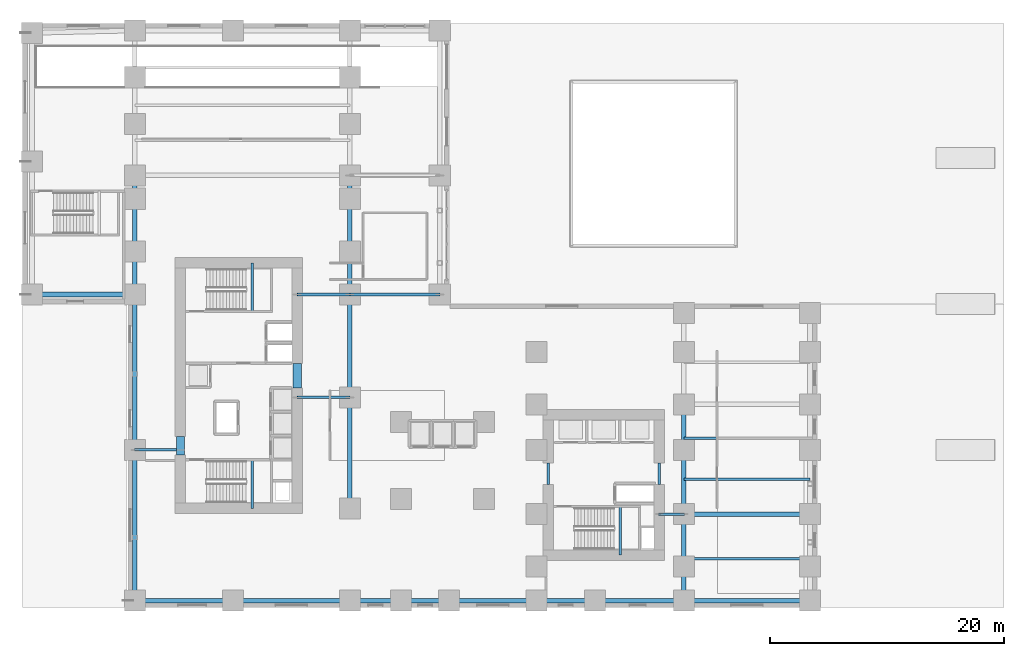
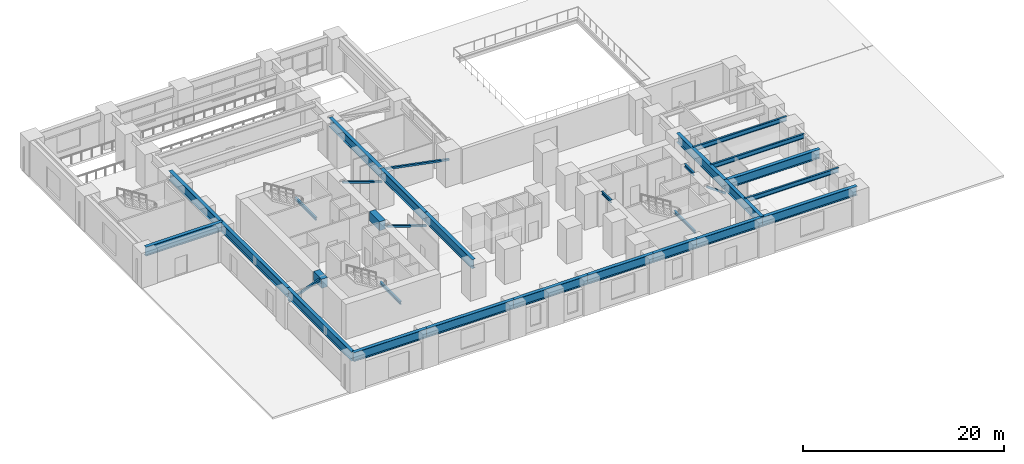
# One storey, part 5 of 23: 27 beams, 5 members.
"""IFC4 building model written with IfcOpenShell, lengths in metres."""

import ifcopenshell
import ifcopenshell.guid

model = None  # the IFC model being written
_history = None  # IfcOwnerHistory: only IFC2X3 demands one
_inside = {}  # id of a spatial element -> (the spatial element, [elements in it])
_under = {}  # id of a project, library or spatial element -> (it, [spatial elements below it])
_declared = {}  # id of a project -> (the project, [libraries it declares])
_typed = {}  # id of a type object -> (the type object, [elements of that type])
_made_of = {}  # id of a material, layer set ... -> (it, [elements and type objects made of it])


def new_model(schema):
    """Start an empty IFC model of exactly this schema.

    Asked for "IFC4X3", IfcOpenShell would pick the latest addendum, in which some entities
    have other attributes; the version numbers below select the first issue.
    IFC2X3 requires an IfcOwnerHistory on every rooted entity: one is made here for all.
    """
    global model, _history
    if schema == "IFC4X3":
        model = ifcopenshell.file(schema_version=(4, 3, 0, 0))
    else:
        model = ifcopenshell.file(schema=schema)
    _inside.clear()
    _under.clear()
    _declared.clear()
    _typed.clear()
    _made_of.clear()
    _history = None
    if model.schema == "IFC2X3":
        org = make("IfcOrganization", Name="unknown")
        user = make(
            "IfcPersonAndOrganization",
            ThePerson=make("IfcPerson", FamilyName="unknown"),
            TheOrganization=org,
        )
        app = make(
            "IfcApplication",
            ApplicationDeveloper=org,
            Version="unknown",
            ApplicationFullName="unknown",
            ApplicationIdentifier="unknown",
        )
        _history = make(
            "IfcOwnerHistory",
            OwningUser=user,
            OwningApplication=app,
            ChangeAction="ADDED",
            CreationDate=0,
        )
    return model


def make(cls, **values):
    """One entity of the class cls with the attributes given. An attribute that is None is left unset."""
    return model.create_entity(
        cls, **{name: value for name, value in values.items() if value is not None}
    )


def rooted(cls, **values):
    """An entity with a GlobalId (a new one), such as an element, a storey or a relation."""
    return make(cls, GlobalId=ifcopenshell.guid.new(), OwnerHistory=_history, **values)


def si_unit(unit_type, name, prefix=None):
    """IfcSIUnit, for example si_unit("LENGTHUNIT", "METRE", prefix="MILLI")."""
    return make("IfcSIUnit", UnitType=unit_type, Prefix=prefix, Name=name)


def assignment(units):
    """IfcUnitAssignment: the units of a project."""
    return None if units is None else make("IfcUnitAssignment", Units=units)


def point(xyz):
    """IfcCartesianPoint."""
    return None if xyz is None else make("IfcCartesianPoint", Coordinates=xyz)


def direction(xyz):
    """IfcDirection."""
    return None if xyz is None else make("IfcDirection", DirectionRatios=xyz)


def frame(location, z_axis=None, x_axis=None):
    """IfcAxis2Placement3D, a coordinate frame: its origin and axes. An axis left out is left unset."""
    return make(
        "IfcAxis2Placement3D",
        Location=point(location),
        Axis=direction(z_axis),
        RefDirection=direction(x_axis),
    )


def frame_2d(location, x_axis=None):
    """IfcAxis2Placement2D, a coordinate frame in the plane: its origin and x axis."""
    return make(
        "IfcAxis2Placement2D", Location=point(location), RefDirection=direction(x_axis)
    )


def origin():
    """The frame at (0, 0, 0) with its axes left unset."""
    return frame((0.0, 0.0, 0.0))


def origin_2d():
    """The frame at (0, 0) in the plane with its x axis left unset."""
    return frame_2d((0.0, 0.0))


def place(relative_to, where):
    """IfcLocalPlacement: puts the frame where relative to a parent placement (None: the world)."""
    return make(
        "IfcLocalPlacement", PlacementRelTo=relative_to, RelativePlacement=where
    )


def context(
    kind, dimensions, precision=None, world=None, true_north=None, identifier=None
):
    """IfcGeometricRepresentationContext, for example the 3D "Model" context."""
    return make(
        "IfcGeometricRepresentationContext",
        ContextIdentifier=identifier,
        ContextType=kind,
        CoordinateSpaceDimension=dimensions,
        Precision=precision,
        WorldCoordinateSystem=world,
        TrueNorth=true_north,
    )


def subcontext(parent, identifier, kind, view, scale=None):
    """IfcGeometricRepresentationSubContext, for example "Body" below "Model"."""
    return make(
        "IfcGeometricRepresentationSubContext",
        ContextIdentifier=identifier,
        ContextType=kind,
        ParentContext=parent,
        TargetScale=scale,
        TargetView=view,
    )


def project(units=None, contexts=None):
    """IfcProject with its units and contexts."""
    return rooted(
        "IfcProject",
        Name="project",
        RepresentationContexts=contexts,
        UnitsInContext=assignment(units),
    )


def spatial(cls, under=None, at=None, **own):
    """A site, building, storey or space (cls), placed at a placement, below another one or the project."""
    s = rooted(cls, ObjectPlacement=at, **own)
    if under is not None:
        _under.setdefault(under.id(), (under, []))[1].append(s)
    return s


def profile(cls, at=None, kind="AREA", **sizes):
    """A parametric profile (cls). Its sizes go by their IFC names, for example OverallWidth=200.0."""
    return make(cls, ProfileType=kind, Position=at, **sizes)


def rectangle(**sizes):
    """IfcRectangleProfileDef."""
    return profile("IfcRectangleProfileDef", **sizes)


def hollow_rectangle(**sizes):
    """IfcRectangleHollowProfileDef."""
    return profile("IfcRectangleHollowProfileDef", **sizes)


def i_section(**sizes):
    """IfcIShapeProfileDef."""
    return profile("IfcIShapeProfileDef", **sizes)


def extrude(swept, where, along, depth):
    """IfcExtrudedAreaSolid: the profile swept, set in the frame where, extruded along a direction by depth."""
    return make(
        "IfcExtrudedAreaSolid",
        SweptArea=swept,
        Position=where,
        ExtrudedDirection=direction(along),
        Depth=depth,
    )


def shape(context_of_items, identifier, shape_type, items):
    """IfcShapeRepresentation: the items that make up one representation, for example the "Body"."""
    return make(
        "IfcShapeRepresentation",
        ContextOfItems=context_of_items,
        RepresentationIdentifier=identifier,
        RepresentationType=shape_type,
        Items=items,
    )


def source(mapping_origin, context_of_items, identifier, shape_type, items):
    """IfcRepresentationMap: a shape defined once, which mapped items show again and again."""
    return make(
        "IfcRepresentationMap",
        MappingOrigin=mapping_origin,
        MappedRepresentation=shape(context_of_items, identifier, shape_type, items),
    )


def transform(
    local_origin,
    x_axis=None,
    y_axis=None,
    z_axis=None,
    scale=None,
    scale2=None,
    scale3=None,
    uniform=True,
):
    """IfcCartesianTransformationOperator3D, or its non-uniform kind. x_axis, y_axis, z_axis: its Axis1, 2, 3."""
    if uniform:
        return make(
            "IfcCartesianTransformationOperator3D",
            Axis1=direction(x_axis),
            Axis2=direction(y_axis),
            LocalOrigin=point(local_origin),
            Scale=scale,
            Axis3=direction(z_axis),
        )
    return make(
        "IfcCartesianTransformationOperator3DnonUniform",
        Axis1=direction(x_axis),
        Axis2=direction(y_axis),
        LocalOrigin=point(local_origin),
        Scale=scale,
        Axis3=direction(z_axis),
        Scale2=scale2,
        Scale3=scale3,
    )


def mapped(mapping_source, mapping_target):
    """IfcMappedItem: shows the shape of a source again, moved by a transform."""
    return make(
        "IfcMappedItem", MappingSource=mapping_source, MappingTarget=mapping_target
    )


def material(Name=None, Category=None):
    """IfcMaterial."""
    return make("IfcMaterial", Name=Name, Category=Category)


def material_profile(
    of_material, cross_section, Name=None, Category=None, Priority=None
):
    """IfcMaterialProfile: a cross section and its material."""
    return make(
        "IfcMaterialProfile",
        Name=Name,
        Material=of_material,
        Profile=cross_section,
        Priority=Priority,
        Category=Category,
    )


def profile_set(profiles, Name=None, composite=None):
    """IfcMaterialProfileSet."""
    return make(
        "IfcMaterialProfileSet",
        Name=Name,
        MaterialProfiles=profiles,
        CompositeProfile=composite,
    )


def made_of(thing, what):
    """Note that an element or type object is made of a material, layer set ...; save() writes the relation."""
    if what is not None:
        _made_of.setdefault(what.id(), (what, []))[1].append(thing)
    return thing


def type_object(cls, material=None, **own):
    """A type object (cls), such as IfcWallType, which elements share."""
    return made_of(rooted(cls, **own), material)


def element(
    cls,
    number,
    at=None,
    inside=None,
    cuts=None,
    type_object=None,
    material=None,
    context=None,
    identifier="Body",
    shape_type=None,
    held_by="IfcProductDefinitionShape",
    body=None,
    shapes=None,
    **own,
):
    """One element of the class cls, such as IfcWall. Its Tag is "e" and its number.

    at: its placement. inside: the storey or other place that contains it. cuts: it is an
    opening in that element (IfcRelVoidsElement). A single representation is given by context,
    identifier, shape_type and body (its items); several are given by shapes. held_by: the class
    of the entity that holds the representations. save() writes the other relations.
    """
    e = rooted(cls, Tag="e%d" % number, ObjectPlacement=at, **own)
    if body is not None:
        shapes = [shape(context, identifier, shape_type, body)]
    if shapes is not None:
        e.Representation = make(held_by, Representations=shapes)
    if inside is not None:
        _inside.setdefault(inside.id(), (inside, []))[1].append(e)
    if cuts is not None:
        rooted(
            "IfcRelVoidsElement", RelatingBuildingElement=cuts, RelatedOpeningElement=e
        )
    if type_object is not None:
        _typed.setdefault(type_object.id(), (type_object, []))[1].append(e)
    return made_of(e, material)


def aggregate(whole, parts):
    """IfcRelAggregates: a whole, such as a stair, and the parts it consists of."""
    return rooted("IfcRelAggregates", RelatingObject=whole, RelatedObjects=parts)


def save(model, path):
    """Write the relations noted so far, then the file.

    IfcRelAggregates (storeys below a building ...), IfcRelContainedInSpatialStructure (elements
    in a storey), IfcRelDefinesByType, IfcRelAssociatesMaterial and IfcRelDeclares: one each for
    every whole, place, type object, material and project.
    """
    for whole, parts in _under.values():
        aggregate(whole, parts)
    for where, things in _inside.values():
        rooted(
            "IfcRelContainedInSpatialStructure",
            RelatedElements=things,
            RelatingStructure=where,
        )
    for kind, things in _typed.values():
        rooted("IfcRelDefinesByType", RelatedObjects=things, RelatingType=kind)
    for what, things in _made_of.values():
        rooted("IfcRelAssociatesMaterial", RelatedObjects=things, RelatingMaterial=what)
    for by, libraries in _declared.values():
        rooted("IfcRelDeclares", RelatingContext=by, RelatedDefinitions=libraries)
    model.write(path)


model = new_model("IFC4")

# Units and contexts
model_context = context("Model", 3, precision=1e-05, world=origin(), true_north=direction((0.0, 1.0)))
body_context = subcontext(model_context, "Body", "Model", "MODEL_VIEW")
ifc_project = project(units=[si_unit("LENGTHUNIT", "METRE"), si_unit("AREAUNIT", "SQUARE_METRE"), si_unit("VOLUMEUNIT", "CUBIC_METRE"), si_unit("PLANEANGLEUNIT", "RADIAN"), si_unit("MASSUNIT", "GRAM", prefix="KILO")], contexts=[model_context])

# Site, building, storey
site_placement = place(None, origin())
site = spatial("IfcSite", under=ifc_project, at=site_placement, CompositionType="ELEMENT")
building_placement = place(site_placement, origin())
building = spatial("IfcBuilding", under=site, at=building_placement, Name="Kharzan Plaza Tower", CompositionType="ELEMENT")
storey_placement = place(building_placement, origin())
storey = spatial("IfcBuildingStorey", under=building, at=storey_placement, Name="L00", CompositionType="ELEMENT", Elevation=0.0)

# Beams
ifc_material_1 = material(Name="Concrete C60/75", Category="concrete")
ifc_material_profile_1 = material_profile(ifc_material_1, rectangle(XDim=0.699951171875, YDim=1.10009765625, at=origin_2d()), Name="RC-CB1100x700")
ifc_profile_set_1 = profile_set([ifc_material_profile_1], Name="Concrete C60/75")
beam_type_1 = type_object("IfcBeamType", Name="BM-RCCB1100", PredefinedType="LINTEL", material=ifc_profile_set_1)
shared_shape_1 = source(origin(), body_context, "Body", "SweptSolid", [
    extrude(rectangle(XDim=0.699951171875, YDim=1.10009765625, at=origin_2d()), origin(), (0.0, 0.0, 1.0), 2.059814453125),
])
beam_1_placement = place(storey_placement, frame((14.5, 18.820068359375, 3.699951171875), z_axis=(0.0, 1.0, 0.0), x_axis=(-1.0, 0.0, 0.0)))
element("IfcBeam", 1, at=beam_1_placement, inside=storey, type_object=beam_type_1, Name="L00 CORE-A RC coupling beam CB1", PredefinedType="LINTEL", context=body_context, shape_type="MappedRepresentation", body=[
    mapped(shared_shape_1, transform((0.0, 0.0, 0.0), x_axis=(1.0, 0.0, 0.0), y_axis=(0.0, 1.0, 0.0), z_axis=(0.0, 0.0, 1.0))),
])
ifc_material_2 = material(Name="Steel S355", Category="steel")
ifc_material_profile_2 = material_profile(ifc_material_2, i_section(OverallWidth=0.205078125, OverallDepth=0.35400390625, WebThickness=0.009521484375, FlangeThickness=0.016845703125, at=origin_2d()), Name="W360x79")
ifc_profile_set_2 = profile_set([ifc_material_profile_2], Name="Steel S355")
beam_type_2 = type_object("IfcBeamType", Name="BM-LNT360", PredefinedType="LINTEL", material=ifc_profile_set_2)
shared_shape_2 = source(origin(), body_context, "Body", "SweptSolid", [
    extrude(i_section(OverallWidth=0.205078125, OverallDepth=0.35400390625, WebThickness=0.009521484375, FlangeThickness=0.016845703125, at=origin_2d()), origin(), (0.0, 0.0, 1.0), 1.849853515625),
])
for number, where, z_axis, x_axis, name in (
    (2, (45.5, 10.550048828125, 4.072998046875), (0.0, 1.0, 0.0), (-1.0, 0.0, 0.0), "L00 CORE-B coupling lintel LN1-WE"),
    (3, (36.0, 10.550048828125, 4.072998046875), (0.0, 1.0, 0.0), (-1.0, 0.0, 0.0), "L00 CORE-B coupling lintel LN1-WW"),
):
    element("IfcBeam", number, at=place(storey_placement, frame(where, z_axis=z_axis, x_axis=x_axis)), inside=storey, type_object=beam_type_2, Name=name, PredefinedType="LINTEL", context=body_context, shape_type="MappedRepresentation", body=[
        mapped(shared_shape_2, transform((0.0, 0.0, 0.0), x_axis=(1.0, 0.0, 0.0), y_axis=(0.0, 1.0, 0.0), z_axis=(0.0, 0.0, 1.0))),
    ])
shared_shape_3 = source(origin(), body_context, "Body", "SweptSolid", [
    extrude(i_section(OverallWidth=0.205078125, OverallDepth=0.35400390625, WebThickness=0.009521484375, FlangeThickness=0.016845703125, at=origin_2d()), origin(), (0.0, 0.0, 1.0), 4.155029296875),
])
for number, where, z_axis, x_axis, name in (
    (4, (10.64990234375, 8.5, 1.873046875), (0.0, 1.0, 0.0), (-1.0, 0.0, 0.0), "L00 Stair ST-1 Half-Landing Beam"),
    (5, (10.64990234375, 25.344970703125, 1.873046875), (0.0, 1.0, 0.0), (-1.0, 0.0, 0.0), "L00 Stair ST-2 Half-Landing Beam"),
    (6, (42.14990234375, 4.5, 1.873046875), (0.0, 1.0, 0.0), (-1.0, 0.0, 0.0), "L00 Stair ST-3 Half-Landing Beam"),
):
    element("IfcBeam", number, at=place(storey_placement, frame(where, z_axis=z_axis, x_axis=x_axis)), inside=storey, type_object=beam_type_2, Name=name, PredefinedType="LINTEL", context=body_context, shape_type="MappedRepresentation", body=[
        mapped(shared_shape_3, transform((0.0, 0.0, 0.0), x_axis=(1.0, 0.0, 0.0), y_axis=(0.0, 1.0, 0.0), z_axis=(0.0, 0.0, 1.0))),
    ])
ifc_material_profile_3 = material_profile(ifc_material_2, i_section(OverallWidth=0.214111328125, OverallDepth=0.549072265625, WebThickness=0.0146484375, FlangeThickness=0.023681640625, at=origin_2d()), Name="W530x138")
ifc_profile_set_3 = profile_set([ifc_material_profile_3], Name="Steel S355")
beam_type_3 = type_object("IfcBeamType", Name="BM-JST530A", PredefinedType="JOIST", material=ifc_profile_set_3)
shared_shape_4 = source(origin(), body_context, "Body", "SweptSolid", [
    extrude(i_section(OverallWidth=0.214111328125, OverallDepth=0.549072265625, WebThickness=0.0146484375, FlangeThickness=0.023681640625, at=origin_2d()), origin(), (0.0, 0.0, 1.0), 10.7998046875),
])
for number, where, z_axis, x_axis, name in (
    (7, (47.60009765625, 4.199951171875, 3.9755859375), (1.0, 0.0, 0.0), (0.0, 1.0, 0.0), "L00 East Podium Joist PJ-B1"),
    (8, (47.60009765625, 11.0, 3.9755859375), (1.0, 0.0, 0.0), (0.0, 1.0, 0.0), "L00 East Podium Joist PJ-B2"),
    (9, (47.60009765625, 14.5, 3.9755859375), (1.0, 0.0, 0.0), (0.0, 1.0, 0.0), "L00 East Podium Joist PJ-B3"),
):
    element("IfcBeam", number, at=place(storey_placement, frame(where, z_axis=z_axis, x_axis=x_axis)), inside=storey, type_object=beam_type_3, Name=name, PredefinedType="JOIST", context=body_context, shape_type="MappedRepresentation", body=[
        mapped(shared_shape_4, transform((0.0, 0.0, 0.0), x_axis=(1.0, 0.0, 0.0), y_axis=(0.0, 1.0, 0.0), z_axis=(0.0, 0.0, 1.0))),
    ])
shared_shape_5 = source(origin(), body_context, "Body", "SweptSolid", [
    extrude(rectangle(XDim=0.699951171875, YDim=1.10009765625, at=origin_2d()), origin(), (0.0, 0.0, 1.0), 1.599853515625),
])
beam_2_placement = place(storey_placement, frame((4.5, 13.050048828125, 3.699951171875), z_axis=(0.0, 1.0, 0.0), x_axis=(-1.0, 0.0, 0.0)))
element("IfcBeam", 10, at=beam_2_placement, inside=storey, type_object=beam_type_1, Name="L00 CORE-A west RC coupling beam CB1", PredefinedType="LINTEL", context=body_context, shape_type="MappedRepresentation", body=[
    mapped(shared_shape_5, transform((0.0, 0.0, 0.0), x_axis=(1.0, 0.0, 0.0), y_axis=(0.0, 1.0, 0.0), z_axis=(0.0, 0.0, 1.0))),
])
ifc_material_profile_4 = material_profile(ifc_material_2, i_section(OverallWidth=0.39990234375, OverallDepth=1.10009765625, WebThickness=0.02001953125, FlangeThickness=0.035888671875, at=origin_2d()), Name="W1100x390")
ifc_profile_set_4 = profile_set([ifc_material_profile_4], Name="Steel S355")
beam_type_4 = type_object("IfcBeamType", Name="BM-PG1100B", PredefinedType="BEAM", material=ifc_profile_set_4)
shared_shape_6 = source(origin(), body_context, "Body", "SweptSolid", [
    extrude(i_section(OverallWidth=0.39990234375, OverallDepth=1.10009765625, WebThickness=0.02001953125, FlangeThickness=0.035888671875, at=origin_2d()), origin(), (0.0, 0.0, 1.0), 10.0),
])
beam_3_placement = place(storey_placement, frame((9.0, 0.60009765625, 3.699951171875), z_axis=(1.0, 0.0, 0.0), x_axis=(0.0, 1.0, 0.0)))
element("IfcBeam", 11, at=beam_3_placement, inside=storey, type_object=beam_type_4, Name="L00 Podium Primary Girder PG-3", PredefinedType="BEAM", context=body_context, shape_type="MappedRepresentation", body=[
    mapped(shared_shape_6, transform((0.0, 0.0, 0.0), x_axis=(1.0, 0.0, 0.0), y_axis=(0.0, 1.0, 0.0), z_axis=(0.0, 0.0, 1.0))),
])
shared_shape_7 = source(origin(), body_context, "Body", "SweptSolid", [
    extrude(i_section(OverallWidth=0.39990234375, OverallDepth=1.10009765625, WebThickness=0.02001953125, FlangeThickness=0.035888671875, at=origin_2d()), origin(), (0.0, 0.0, 1.0), 12.89990234375),
])
beam_4_placement = place(storey_placement, frame((0.60009765625, 0.60009765625, 3.699951171875), z_axis=(0.0, 1.0, 0.0), x_axis=(-1.0, 0.0, 0.0)))
element("IfcBeam", 12, at=beam_4_placement, inside=storey, type_object=beam_type_4, Name="L00 Podium Primary Girder PG-14", PredefinedType="BEAM", context=body_context, shape_type="MappedRepresentation", body=[
    mapped(shared_shape_7, transform((0.0, 0.0, 0.0), x_axis=(1.0, 0.0, 0.0), y_axis=(0.0, 1.0, 0.0), z_axis=(0.0, 0.0, 1.0))),
])
shared_shape_8 = source(origin(), body_context, "Body", "SweptSolid", [
    extrude(i_section(OverallWidth=0.39990234375, OverallDepth=1.10009765625, WebThickness=0.02001953125, FlangeThickness=0.035888671875, at=origin_2d()), origin(), (0.0, 0.0, 1.0), 13.300048828125),
])
beam_5_placement = place(storey_placement, frame((0.60009765625, 13.5, 3.699951171875), z_axis=(0.0, 1.0, 0.0), x_axis=(-1.0, 0.0, 0.0)))
element("IfcBeam", 13, at=beam_5_placement, inside=storey, type_object=beam_type_4, Name="L00 Podium Primary Girder PG-15", PredefinedType="BEAM", context=body_context, shape_type="MappedRepresentation", body=[
    mapped(shared_shape_8, transform((0.0, 0.0, 0.0), x_axis=(1.0, 0.0, 0.0), y_axis=(0.0, 1.0, 0.0), z_axis=(0.0, 0.0, 1.0))),
])
shared_shape_9 = source(origin(), body_context, "Body", "SweptSolid", [
    extrude(i_section(OverallWidth=0.39990234375, OverallDepth=1.10009765625, WebThickness=0.02001953125, FlangeThickness=0.035888671875, at=origin_2d()), origin(), (0.0, 0.0, 1.0), 10.199951171875),
])
for number, where, z_axis, x_axis, name in (
    (14, (0.60009765625, 26.800048828125, 3.699951171875), (0.0, 1.0, 0.0), (-1.0, 0.0, 0.0), "L00 Podium Primary Girder PG-16"),
    (15, (19.0, 26.800048828125, 3.699951171875), (0.0, 1.0, 0.0), (-1.0, 0.0, 0.0), "L00 Podium Primary Girder PG-20"),
):
    element("IfcBeam", number, at=place(storey_placement, frame(where, z_axis=z_axis, x_axis=x_axis)), inside=storey, type_object=beam_type_4, Name=name, PredefinedType="BEAM", context=body_context, shape_type="MappedRepresentation", body=[
        mapped(shared_shape_9, transform((0.0, 0.0, 0.0), x_axis=(1.0, 0.0, 0.0), y_axis=(0.0, 1.0, 0.0), z_axis=(0.0, 0.0, 1.0))),
    ])
shared_shape_10 = source(origin(), body_context, "Body", "SweptSolid", [
    extrude(i_section(OverallWidth=0.39990234375, OverallDepth=1.10009765625, WebThickness=0.02001953125, FlangeThickness=0.035888671875, at=origin_2d()), origin(), (0.0, 0.0, 1.0), 9.5),
])
beam_6_placement = place(storey_placement, frame((19.0, 8.5, 3.699951171875), z_axis=(0.0, 1.0, 0.0), x_axis=(-1.0, 0.0, 0.0)))
element("IfcBeam", 16, at=beam_6_placement, inside=storey, type_object=beam_type_4, Name="L00 Podium Primary Girder PG-18", PredefinedType="BEAM", context=body_context, shape_type="MappedRepresentation", body=[
    mapped(shared_shape_10, transform((0.0, 0.0, 0.0), x_axis=(1.0, 0.0, 0.0), y_axis=(0.0, 1.0, 0.0), z_axis=(0.0, 0.0, 1.0))),
])
shared_shape_11 = source(origin(), body_context, "Body", "SweptSolid", [
    extrude(i_section(OverallWidth=0.39990234375, OverallDepth=1.10009765625, WebThickness=0.02001953125, FlangeThickness=0.035888671875, at=origin_2d()), origin(), (0.0, 0.0, 1.0), 8.800048828125),
])
for number, where, z_axis, x_axis, name in (
    (17, (19.0, 18.0, 3.699951171875), (0.0, 1.0, 0.0), (-1.0, 0.0, 0.0), "L00 Podium Primary Girder PG-19"),
    (18, (-8.199951171875, 26.800048828125, 3.699951171875), (1.0, 0.0, 0.0), (0.0, 1.0, 0.0), "L00 Podium Primary Girder PG-8S"),
):
    element("IfcBeam", number, at=place(storey_placement, frame(where, z_axis=z_axis, x_axis=x_axis)), inside=storey, type_object=beam_type_4, Name=name, PredefinedType="BEAM", context=body_context, shape_type="MappedRepresentation", body=[
        mapped(shared_shape_11, transform((0.0, 0.0, 0.0), x_axis=(1.0, 0.0, 0.0), y_axis=(0.0, 1.0, 0.0), z_axis=(0.0, 0.0, 1.0))),
    ])
shared_shape_12 = source(origin(), body_context, "Body", "SweptSolid", [
    extrude(i_section(OverallWidth=0.39990234375, OverallDepth=1.10009765625, WebThickness=0.02001953125, FlangeThickness=0.035888671875, at=origin_2d()), origin(), (0.0, 0.0, 1.0), 8.39990234375),
])
beam_7_placement = place(storey_placement, frame((0.60009765625, 0.60009765625, 3.699951171875), z_axis=(1.0, 0.0, 0.0), x_axis=(0.0, 1.0, 0.0)))
element("IfcBeam", 19, at=beam_7_placement, inside=storey, type_object=beam_type_4, Name="L00 Podium Primary Girder PG-2", PredefinedType="BEAM", context=body_context, shape_type="MappedRepresentation", body=[
    mapped(shared_shape_12, transform((0.0, 0.0, 0.0), x_axis=(1.0, 0.0, 0.0), y_axis=(0.0, 1.0, 0.0), z_axis=(0.0, 0.0, 1.0))),
])
shared_shape_13 = source(origin(), body_context, "Body", "SweptSolid", [
    extrude(i_section(OverallWidth=0.39990234375, OverallDepth=1.10009765625, WebThickness=0.02001953125, FlangeThickness=0.035888671875, at=origin_2d()), origin(), (0.0, 0.0, 1.0), 7.39990234375),
])
beam_8_placement = place(storey_placement, frame((47.60009765625, 0.60009765625, 3.699951171875), z_axis=(0.0, 1.0, 0.0), x_axis=(-1.0, 0.0, 0.0)))
element("IfcBeam", 20, at=beam_8_placement, inside=storey, type_object=beam_type_4, Name="L00 Podium Primary Girder PG-22", PredefinedType="BEAM", context=body_context, shape_type="MappedRepresentation", body=[
    mapped(shared_shape_13, transform((0.0, 0.0, 0.0), x_axis=(1.0, 0.0, 0.0), y_axis=(0.0, 1.0, 0.0), z_axis=(0.0, 0.0, 1.0))),
])
shared_shape_14 = source(origin(), body_context, "Body", "SweptSolid", [
    extrude(i_section(OverallWidth=0.39990234375, OverallDepth=1.10009765625, WebThickness=0.02001953125, FlangeThickness=0.035888671875, at=origin_2d()), origin(), (0.0, 0.0, 1.0), 9.39990234375),
])
beam_9_placement = place(storey_placement, frame((47.60009765625, 8.0, 3.699951171875), z_axis=(0.0, 1.0, 0.0), x_axis=(-1.0, 0.0, 0.0)))
element("IfcBeam", 21, at=beam_9_placement, inside=storey, type_object=beam_type_4, Name="L00 Podium Primary Girder PG-23", PredefinedType="BEAM", context=body_context, shape_type="MappedRepresentation", body=[
    mapped(shared_shape_14, transform((0.0, 0.0, 0.0), x_axis=(1.0, 0.0, 0.0), y_axis=(0.0, 1.0, 0.0), z_axis=(0.0, 0.0, 1.0))),
])
shared_shape_15 = source(origin(), body_context, "Body", "SweptSolid", [
    extrude(i_section(OverallWidth=0.39990234375, OverallDepth=1.10009765625, WebThickness=0.02001953125, FlangeThickness=0.035888671875, at=origin_2d()), origin(), (0.0, 0.0, 1.0), 10.7998046875),
])
for number, where, z_axis, x_axis, name in (
    (22, (47.60009765625, 8.0, 3.699951171875), (1.0, 0.0, 0.0), (0.0, 1.0, 0.0), "L00 Podium Primary Girder PG-28"),
    (23, (47.60009765625, 0.60009765625, 3.699951171875), (1.0, 0.0, 0.0), (0.0, 1.0, 0.0), "L00 Podium Primary Girder PG-7"),
):
    element("IfcBeam", number, at=place(storey_placement, frame(where, z_axis=z_axis, x_axis=x_axis)), inside=storey, type_object=beam_type_4, Name=name, PredefinedType="BEAM", context=body_context, shape_type="MappedRepresentation", body=[
        mapped(shared_shape_15, transform((0.0, 0.0, 0.0), x_axis=(1.0, 0.0, 0.0), y_axis=(0.0, 1.0, 0.0), z_axis=(0.0, 0.0, 1.0))),
    ])
shared_shape_16 = source(origin(), body_context, "Body", "SweptSolid", [
    extrude(i_section(OverallWidth=0.39990234375, OverallDepth=1.10009765625, WebThickness=0.02001953125, FlangeThickness=0.035888671875, at=origin_2d()), origin(), (0.0, 0.0, 1.0), 8.5),
])
beam_10_placement = place(storey_placement, frame((19.0, 0.60009765625, 3.699951171875), z_axis=(1.0, 0.0, 0.0), x_axis=(0.0, 1.0, 0.0)))
element("IfcBeam", 24, at=beam_10_placement, inside=storey, type_object=beam_type_4, Name="L00 Podium Primary Girder PG-4", PredefinedType="BEAM", context=body_context, shape_type="MappedRepresentation", body=[
    mapped(shared_shape_16, transform((0.0, 0.0, 0.0), x_axis=(1.0, 0.0, 0.0), y_axis=(0.0, 1.0, 0.0), z_axis=(0.0, 0.0, 1.0))),
])
shared_shape_17 = source(origin(), body_context, "Body", "SweptSolid", [
    extrude(i_section(OverallWidth=0.39990234375, OverallDepth=1.10009765625, WebThickness=0.02001953125, FlangeThickness=0.035888671875, at=origin_2d()), origin(), (0.0, 0.0, 1.0), 7.5),
])
beam_11_placement = place(storey_placement, frame((27.5, 0.60009765625, 3.699951171875), z_axis=(1.0, 0.0, 0.0), x_axis=(0.0, 1.0, 0.0)))
element("IfcBeam", 25, at=beam_11_placement, inside=storey, type_object=beam_type_4, Name="L00 Podium Primary Girder PG-5", PredefinedType="BEAM", context=body_context, shape_type="MappedRepresentation", body=[
    mapped(shared_shape_17, transform((0.0, 0.0, 0.0), x_axis=(1.0, 0.0, 0.0), y_axis=(0.0, 1.0, 0.0), z_axis=(0.0, 0.0, 1.0))),
])
shared_shape_18 = source(origin(), body_context, "Body", "SweptSolid", [
    extrude(i_section(OverallWidth=0.39990234375, OverallDepth=1.10009765625, WebThickness=0.02001953125, FlangeThickness=0.035888671875, at=origin_2d()), origin(), (0.0, 0.0, 1.0), 5.0),
])
beam_12_placement = place(storey_placement, frame((35.0, 0.60009765625, 3.699951171875), z_axis=(1.0, 0.0, 0.0), x_axis=(0.0, 1.0, 0.0)))
element("IfcBeam", 26, at=beam_12_placement, inside=storey, type_object=beam_type_4, Name="L00 Podium Primary Girder PG-6A", PredefinedType="BEAM", context=body_context, shape_type="MappedRepresentation", body=[
    mapped(shared_shape_18, transform((0.0, 0.0, 0.0), x_axis=(1.0, 0.0, 0.0), y_axis=(0.0, 1.0, 0.0), z_axis=(0.0, 0.0, 1.0))),
])
shared_shape_19 = source(origin(), body_context, "Body", "SweptSolid", [
    extrude(i_section(OverallWidth=0.39990234375, OverallDepth=1.10009765625, WebThickness=0.02001953125, FlangeThickness=0.035888671875, at=origin_2d()), origin(), (0.0, 0.0, 1.0), 7.60009765625),
])
beam_13_placement = place(storey_placement, frame((40.0, 0.60009765625, 3.699951171875), z_axis=(1.0, 0.0, 0.0), x_axis=(0.0, 1.0, 0.0)))
element("IfcBeam", 27, at=beam_13_placement, inside=storey, type_object=beam_type_4, Name="L00 Podium Primary Girder PG-6B", PredefinedType="BEAM", context=body_context, shape_type="MappedRepresentation", body=[
    mapped(shared_shape_19, transform((0.0, 0.0, 0.0), x_axis=(1.0, 0.0, 0.0), y_axis=(0.0, 1.0, 0.0), z_axis=(0.0, 0.0, 1.0))),
])

# Members
ifc_material_profile_5 = material_profile(ifc_material_2, hollow_rectangle(XDim=0.219970703125, YDim=0.219970703125, WallThickness=0.012451171875, at=origin_2d()), Name="SHS220x220x12.5")
ifc_profile_set_5 = profile_set([ifc_material_profile_5], Name="Steel S355")
member_type = type_object("IfcMemberType", Name="MEM-STB-220", PredefinedType="STRUT", material=ifc_profile_set_5)
shared_shape_20 = source(origin(), body_context, "Body", "SweptSolid", [
    extrude(hollow_rectangle(XDim=0.219970703125, YDim=0.219970703125, WallThickness=0.012451171875, at=origin_2d()), origin(), (0.0, 0.0, 1.0), 4.178466796875),
])
member_1_placement = place(storey_placement, frame((0.60009765625, 13.5, 2.60009765625), z_axis=(0.933342594373, 0.0, 0.358986909968), x_axis=(0.0, 1.0, 0.0)))
element("IfcMember", 28, at=member_1_placement, inside=storey, type_object=member_type, Name="L00 Entrance Portal Tie Strut STB1-1", PredefinedType="STRUT", context=body_context, shape_type="MappedRepresentation", body=[
    mapped(shared_shape_20, transform((0.0, 0.0, 0.0), x_axis=(1.0, 0.0, 0.0), y_axis=(0.0, 1.0, 0.0), z_axis=(0.0, 0.0, 1.0))),
])
shared_shape_21 = source(origin(), body_context, "Body", "SweptSolid", [
    extrude(hollow_rectangle(XDim=0.219970703125, YDim=0.219970703125, WallThickness=0.012451171875, at=origin_2d()), origin(), (0.0, 0.0, 1.0), 4.743408203125),
])
for number, where, z_axis, x_axis, name in (
    (29, (19.0, 18.0, 2.60009765625), (-0.948683298051, 0.0, 0.316227766017), (0.0, -1.0, 0.0), "L00 Entrance Portal Tie Strut STB1-2"),
    (30, (19.0, 26.800048828125, 2.60009765625), (-0.948683298051, 0.0, 0.316227766017), (0.0, -1.0, 0.0), "L00 Entrance Portal Tie Strut STB1-3"),
):
    element("IfcMember", number, at=place(storey_placement, frame(where, z_axis=z_axis, x_axis=x_axis)), inside=storey, type_object=member_type, Name=name, PredefinedType="STRUT", context=body_context, shape_type="MappedRepresentation", body=[
        mapped(shared_shape_21, transform((0.0, 0.0, 0.0), x_axis=(1.0, 0.0, 0.0), y_axis=(0.0, 1.0, 0.0), z_axis=(0.0, 0.0, 1.0))),
    ])
shared_shape_22 = source(origin(), body_context, "Body", "SweptSolid", [
    extrude(hollow_rectangle(XDim=0.219970703125, YDim=0.219970703125, WallThickness=0.012451171875, at=origin_2d()), origin(), (0.0, 0.0, 1.0), 7.8447265625),
])
member_2_placement = place(storey_placement, frame((26.699951171875, 26.800048828125, 2.60009765625), z_axis=(-0.981548759508, 0.0, 0.191212009842), x_axis=(0.0, -1.0, 0.0)))
element("IfcMember", 31, at=member_2_placement, inside=storey, type_object=member_type, Name="L00 Entrance Portal Tie Strut STB1-4", PredefinedType="STRUT", context=body_context, shape_type="MappedRepresentation", body=[
    mapped(shared_shape_22, transform((0.0, 0.0, 0.0), x_axis=(1.0, 0.0, 0.0), y_axis=(0.0, 1.0, 0.0), z_axis=(0.0, 0.0, 1.0))),
])
shared_shape_23 = source(origin(), body_context, "Body", "SweptSolid", [
    extrude(hollow_rectangle(XDim=0.219970703125, YDim=0.219970703125, WallThickness=0.012451171875, at=origin_2d()), origin(), (0.0, 0.0, 1.0), 2.580810546875),
])
member_3_placement = place(storey_placement, frame((47.60009765625, 8.0, 2.60009765625), z_axis=(-0.813746254747, 0.0, 0.581220296346), x_axis=(0.0, -1.0, 0.0)))
element("IfcMember", 32, at=member_3_placement, inside=storey, type_object=member_type, Name="L00 Entrance Portal Tie Strut STB1-6", PredefinedType="STRUT", context=body_context, shape_type="MappedRepresentation", body=[
    mapped(shared_shape_23, transform((0.0, 0.0, 0.0), x_axis=(1.0, 0.0, 0.0), y_axis=(0.0, 1.0, 0.0), z_axis=(0.0, 0.0, 1.0))),
])

save(model, "model.ifc")
